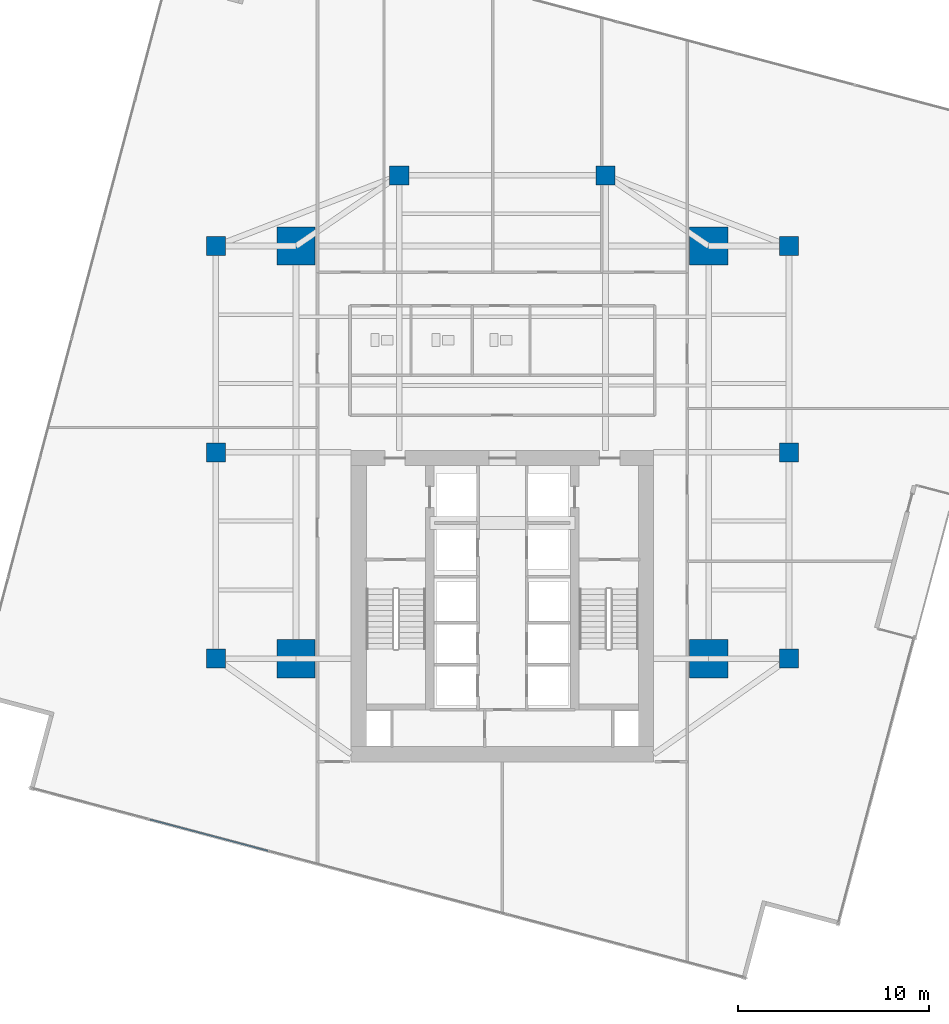
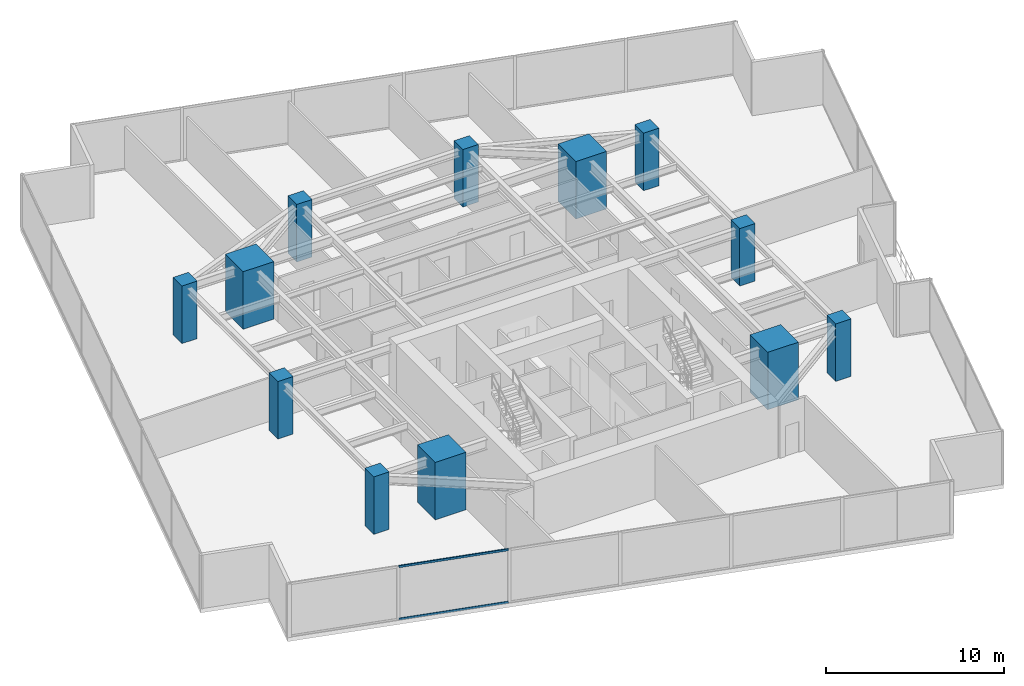
# One storey, part 1 of 27: 12 columns, 2 members, 1 element without a shape of its own.
"""IFC4 building model written with IfcOpenShell, lengths in metres."""

from ifc_helpers import new_model, si_unit, direction, frame, origin, origin_2d, place, context, subcontext, project, spatial, rectangle, hollow_rectangle, extrude, source, transform, mapped, material, material_profile, profile_set, type_object, type_shapes, element, aggregate, save


model = new_model("IFC4")

# Units and contexts
model_context = context("Model", 3, precision=1e-05, world=origin(), true_north=direction((0.0, 1.0)))
body_context = subcontext(model_context, "Body", "Model", "MODEL_VIEW")
ifc_project = project(units=[si_unit("LENGTHUNIT", "METRE"), si_unit("AREAUNIT", "SQUARE_METRE"), si_unit("VOLUMEUNIT", "CUBIC_METRE"), si_unit("PLANEANGLEUNIT", "RADIAN"), si_unit("MASSUNIT", "GRAM", prefix="KILO")], contexts=[model_context])

# Site, building, storey
site_placement = place(None, origin())
site = spatial("IfcSite", under=ifc_project, at=site_placement, CompositionType="ELEMENT")
building_placement = place(site_placement, origin())
building = spatial("IfcBuilding", under=site, at=building_placement, Name="Krantzveldt Concourse Tower", CompositionType="ELEMENT")
storey_placement = place(building_placement, frame((0.0, 0.0, 101.89990234375)))
storey = spatial("IfcBuildingStorey", under=building, at=storey_placement, Name="L24", CompositionType="ELEMENT", Elevation=101.89990234375)

# Columns
ifc_material_1 = material(Name="Concrete C60/75", Category="concrete")
ifc_material_profile_1 = material_profile(ifc_material_1, rectangle(XDim=2.0, YDim=2.0, at=origin_2d()), Name="Concrete C60/75", Category="concrete")
ifc_profile_set_1 = profile_set([ifc_material_profile_1], Name="Concrete C60/75 - RC 2000x2000")
column_type_1 = type_object("IfcColumnType", Name="COL-MC-2000", PredefinedType="USERDEFINED", material=ifc_profile_set_1)
shared_shape_1 = source(origin(), body_context, "Body", "SweptSolid", [
    extrude(rectangle(XDim=2.0, YDim=2.0, at=origin_2d()), origin(), (0.0, 0.0, 1.0), 3.9501953125),
])
type_shapes(column_type_1, [shared_shape_1])
for number, where, z_axis, x_axis, name in (
    (1, (25.199951171875, 15.89990234375, 0.0), (0.0, 0.0, 1.0), (1.0, 0.0, 0.0), "MC-SW-L24"),
    (2, (46.800048828125, 15.89990234375, 0.0), (0.0, 0.0, 1.0), (1.0, 0.0, 0.0), "MC-SE-L24"),
    (3, (46.800048828125, 37.5, 0.0), (0.0, 0.0, 1.0), (1.0, 0.0, 0.0), "MC-NE-L24"),
    (4, (25.199951171875, 37.5, 0.0), (0.0, 0.0, 1.0), (1.0, 0.0, 0.0), "MC-NW-L24"),
):
    element("IfcColumn", number, at=place(storey_placement, frame(where, z_axis=z_axis, x_axis=x_axis)), inside=storey, type_object=column_type_1, Name=name, ObjectType="MEGA COLUMN", PredefinedType="USERDEFINED", context=body_context, shape_type="MappedRepresentation", body=[
        mapped(shared_shape_1, transform((0.0, 0.0, 0.0), x_axis=(1.0, 0.0, 0.0), y_axis=(0.0, 1.0, 0.0), z_axis=(0.0, 0.0, 1.0), scale=1.0)),
    ])
ifc_material_profile_2 = material_profile(ifc_material_1, rectangle(XDim=1.0, YDim=1.0, at=origin_2d()), Name="Concrete C60/75", Category="concrete")
ifc_profile_set_2 = profile_set([ifc_material_profile_2], Name="Concrete C60/75 - RC 1000x1000")
column_type_2 = type_object("IfcColumnType", Name="COL-C-Z2", PredefinedType="COLUMN", material=ifc_profile_set_2)
shared_shape_2 = source(origin(), body_context, "Body", "SweptSolid", [
    extrude(rectangle(XDim=1.0, YDim=1.0, at=origin_2d()), origin(), (0.0, 0.0, 1.0), 3.9501953125),
])
type_shapes(column_type_2, [shared_shape_2])
for number, where, z_axis, x_axis, name in (
    (5, (21.0, 15.89990234375, 0.0), (0.0, 0.0, 1.0), (1.0, 0.0, 0.0), "PC-R01-L24"),
    (6, (21.0, 26.699951171875, 0.0), (0.0, 0.0, 1.0), (1.0, 0.0, 0.0), "PC-R02-L24"),
    (7, (21.0, 37.5, 0.0), (0.0, 0.0, 1.0), (1.0, 0.0, 0.0), "PC-R03-L24"),
    (8, (30.60009765625, 41.199951171875, 0.0), (0.0, 0.0, 1.0), (1.0, 0.0, 0.0), "PC-R04-L24"),
    (9, (41.39990234375, 41.199951171875, 0.0), (0.0, 0.0, 1.0), (1.0, 0.0, 0.0), "PC-R05-L24"),
    (10, (51.0, 37.5, 0.0), (0.0, 0.0, 1.0), (1.0, 0.0, 0.0), "PC-R06-L24"),
    (11, (51.0, 26.699951171875, 0.0), (0.0, 0.0, 1.0), (1.0, 0.0, 0.0), "PC-R07-L24"),
    (12, (51.0, 15.89990234375, 0.0), (0.0, 0.0, 1.0), (1.0, 0.0, 0.0), "PC-R08-L24"),
):
    element("IfcColumn", number, at=place(storey_placement, frame(where, z_axis=z_axis, x_axis=x_axis)), inside=storey, type_object=column_type_2, Name=name, PredefinedType="COLUMN", context=body_context, shape_type="MappedRepresentation", body=[
        mapped(shared_shape_2, transform((0.0, 0.0, 0.0), x_axis=(1.0, 0.0, 0.0), y_axis=(0.0, 1.0, 0.0), z_axis=(0.0, 0.0, 1.0), scale=1.0)),
    ])

# Curtain wall, members
ifc_material_2 = material(Name="Anodised aluminium 6063-T6", Category="aluminium")
curtain_wall_type = type_object("IfcCurtainWallType", Name="CW2", PredefinedType="USERDEFINED", material=ifc_material_2)
curtain_wall_placement = place(storey_placement, origin())
curtain_wall = element("IfcCurtainWall", 13, at=curtain_wall_placement, inside=storey, type_object=curtain_wall_type, Name="CW-L24-F04", ObjectType="UNITISED CURTAIN WALL", PredefinedType="USERDEFINED")
ifc_material_profile_3 = material_profile(ifc_material_2, hollow_rectangle(XDim=0.070068359375, YDim=0.139892578125, WallThickness=0.0048828125, at=origin_2d()), Name="Anodised aluminium 6063-T6", Category="aluminium")
ifc_profile_set_3 = profile_set([ifc_material_profile_3], Name="Anodised aluminium 6063-T6 - ALU-TRAN 140x70x5")
member_type = type_object("IfcMemberType", Name="CW-TRN-150", PredefinedType="USERDEFINED", material=ifc_profile_set_3)
shared_shape_3 = source(origin(), body_context, "Body", "SweptSolid", [
    extrude(hollow_rectangle(XDim=0.070068359375, YDim=0.139892578125, WallThickness=0.0048828125, at=origin_2d()), origin(), (0.0, 0.0, 1.0), 6.396484375),
])
type_shapes(member_type, [shared_shape_3])
member_1_placement = place(storey_placement, frame((17.550048828125, 7.482421875, 0.03515625), z_axis=(0.966477136093, -0.256752693093, 0.0), x_axis=(0.256752693093, 0.966477136093, 0.0)))
member_1 = element("IfcMember", 14, at=member_1_placement, type_object=member_type, Name="CW-Z12 transom 2.1", ObjectType="TRANSOM", PredefinedType="USERDEFINED", context=body_context, shape_type="MappedRepresentation", body=[
    mapped(shared_shape_3, transform((0.0, 0.0, 0.0), x_axis=(1.0, 0.0, 0.0), y_axis=(0.0, 1.0, 0.0), z_axis=(0.0, 0.0, 1.0), scale=1.0)),
])
member_2_placement = place(storey_placement, frame((17.550048828125, 7.482421875, 3.635009765625), z_axis=(0.966477136093, -0.256752693093, 0.0), x_axis=(0.256752693093, 0.966477136093, 0.0)))
member_2 = element("IfcMember", 15, at=member_2_placement, type_object=member_type, Name="CW-Z12 transom 2.2", ObjectType="TRANSOM", PredefinedType="USERDEFINED", context=body_context, shape_type="MappedRepresentation", body=[
    mapped(shared_shape_3, transform((0.0, 0.0, 0.0), x_axis=(1.0, 0.0, 0.0), y_axis=(0.0, 1.0, 0.0), z_axis=(0.0, 0.0, 1.0), scale=1.0)),
])
aggregate(curtain_wall, [member_1, member_2])

save(model, "model.ifc")
